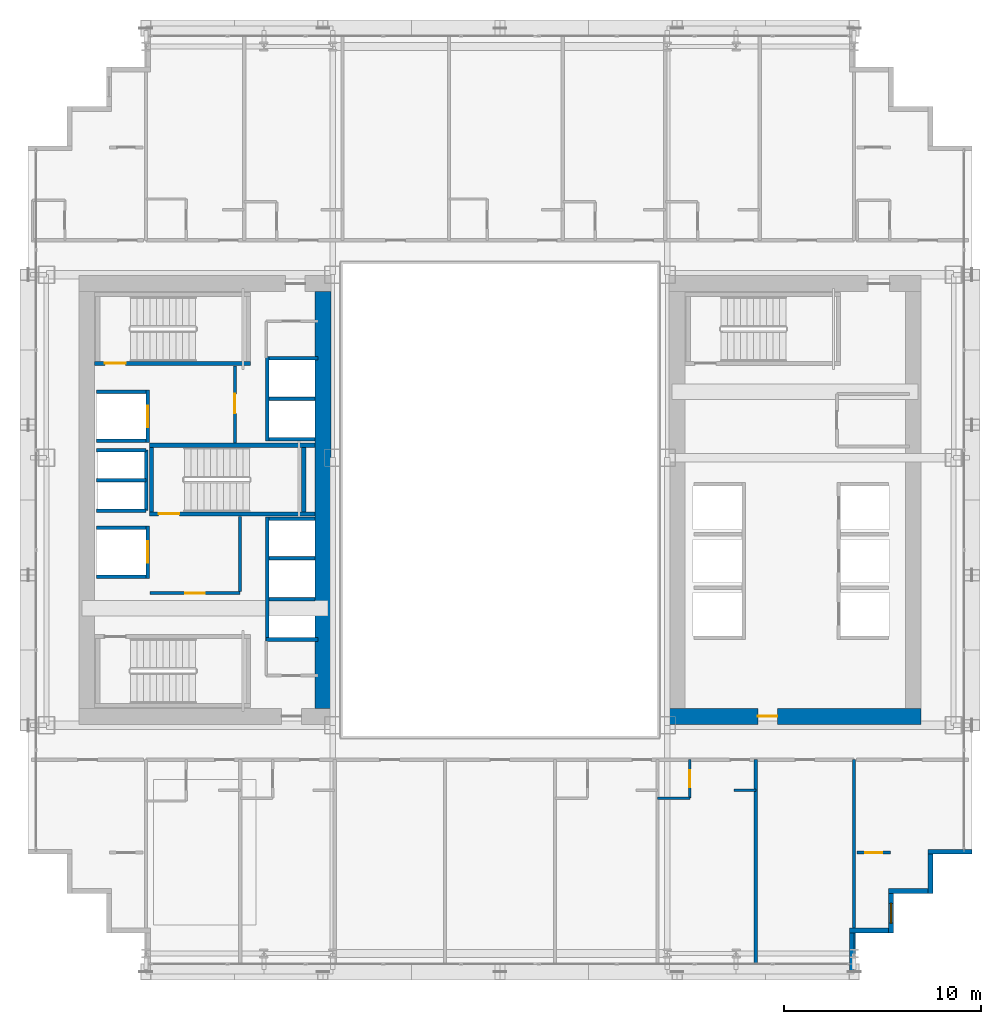
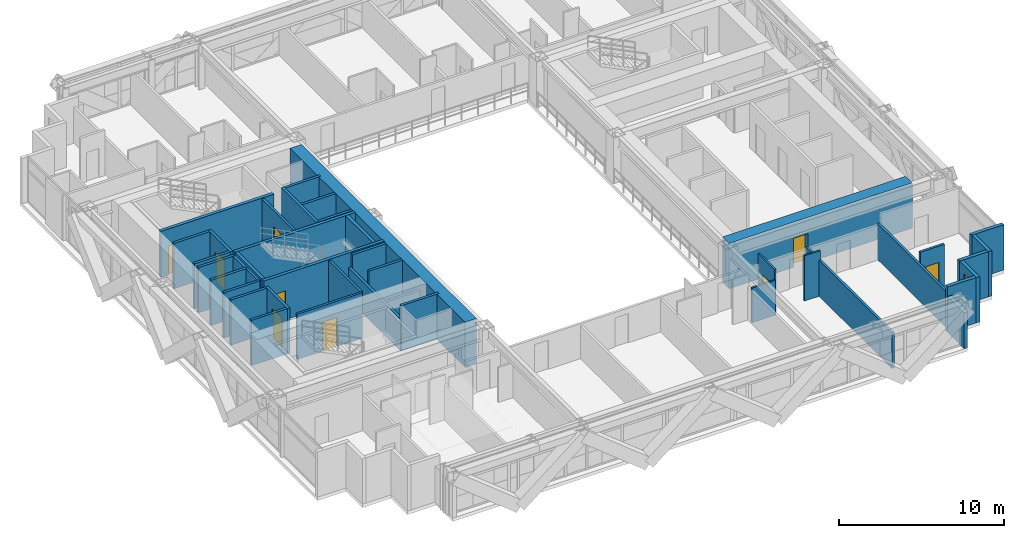
# One storey, part 31 of 38: 41 walls, 9 doors, 1 window, 10 openings.
"""IFC4 building model written with IfcOpenShell, lengths in metres."""

from ifc_helpers import new_model, si_unit, direction, frame, frame_2d, origin, place, context, subcontext, project, spatial, rectangle, extrude, source, transform, mapped, material, layer, layer_set, type_object, element, fill, save


model = new_model("IFC4")

# Units and contexts
model_context = context("Model", 3, precision=1e-05, world=origin(), true_north=direction((0.0, 1.0)))
body_context = subcontext(model_context, "Body", "Model", "MODEL_VIEW")
ifc_project = project(units=[si_unit("LENGTHUNIT", "METRE"), si_unit("AREAUNIT", "SQUARE_METRE"), si_unit("VOLUMEUNIT", "CUBIC_METRE"), si_unit("PLANEANGLEUNIT", "RADIAN"), si_unit("MASSUNIT", "GRAM", prefix="KILO")], contexts=[model_context])

# Site, building, storey
site_placement = place(None, origin())
site = spatial("IfcSite", under=ifc_project, at=site_placement, CompositionType="ELEMENT")
building_placement = place(site_placement, origin())
building = spatial("IfcBuilding", under=site, at=building_placement, Name="Ocotamira Hotel", CompositionType="ELEMENT")
storey_placement = place(building_placement, frame((0.0, 0.0, 74.39990234375)))
storey = spatial("IfcBuildingStorey", under=building, at=storey_placement, Name="L18", CompositionType="ELEMENT", Elevation=74.39990234375)

# Wall
ifc_material_1 = material(Name="Concrete C60/75", Category="concrete")
ifc_layer_1 = layer(ifc_material_1, 0.800048828125)
ifc_layer_set_1 = layer_set([ifc_layer_1], Name="Concrete C60/75")
wall_type_1 = type_object("IfcWallType", Name="WL-CORE-800", PredefinedType="SHEAR", material=ifc_layer_set_1)
wall_1_placement = place(storey_placement, frame((23.0, 15.39990234375, 0.0), z_axis=(0.0, 0.0, 1.0), x_axis=(0.0, 1.0, 0.0)))
element("IfcWall", 1, at=wall_1_placement, inside=storey, type_object=wall_type_1, Name="L18 Shear Core Wall WCORE-E", PredefinedType="SHEAR", context=body_context, shape_type="SweptSolid", body=[
    extrude(rectangle(XDim=21.2001953125, YDim=0.800048828125, at=frame_2d((10.60009765625, 0.0))), origin(), (0.0, 0.0, 1.0), 3.35009765625),
])

# Wall, opening, door
wall_2_placement = place(storey_placement, frame((40.60009765625, 15.0, 0.0), z_axis=(0.0, 0.0, 1.0), x_axis=(1.0, 0.0, 0.0)))
wall_2 = element("IfcWall", 2, at=wall_2_placement, inside=storey, type_object=wall_type_1, Name="L18 Shear Core Wall ECORE-S", PredefinedType="SHEAR", context=body_context, shape_type="SweptSolid", body=[
    extrude(rectangle(XDim=12.7998046875, YDim=0.800048828125, at=frame_2d((6.39990234375, 0.0))), origin(), (0.0, 0.0, 1.0), 3.35009765625),
])
opening_1_placement = place(wall_2_placement, frame((4.5, 0.0, 0.0)))
opening_1 = element("IfcOpeningElement", 3, at=opening_1_placement, cuts=wall_2, Name="Opening D-FR2", PredefinedType="OPENING", context=body_context, shape_type="SweptSolid", body=[
    extrude(rectangle(XDim=1.0, YDim=2.14990234375, at=frame_2d((0.5, 1.074951171875))), frame((0.0, 0.41015625, 0.0), z_axis=(0.0, -1.0, 0.0), x_axis=(1.0, 0.0, 0.0)), (0.0, 0.0, 1.0), 0.820068359375),
])
ifc_material_2 = material(Name="Fire-rated acoustic timber-veneer door", Category="wood")
door_type_1 = type_object("IfcDoorType", Name="DR-FIRE-1000", OperationType="NOTDEFINED", PredefinedType="DOOR", material=ifc_material_2)
shared_shape_1 = source(origin(), body_context, "Body", "SweptSolid", [
    extrude(rectangle(XDim=1.0, YDim=2.14990234375, at=frame_2d((0.5, 1.074951171875))), frame((0.0, 0.02490234375, 0.0), z_axis=(0.0, -1.0, 0.0), x_axis=(1.0, 0.0, 0.0)), (0.0, 0.0, 1.0), 0.050048828125),
])
door_1_placement = place(opening_1_placement, origin())
door_1 = element("IfcDoor", 4, at=door_1_placement, inside=storey, type_object=door_type_1, Name="L18 Door ID-L18-ELOB-S-D [ID-L18-ELOB-S-D]", OperationType="SINGLE_SWING_RIGHT", OverallHeight=2.14990234375, OverallWidth=1.0, PredefinedType="DOOR", context=body_context, shape_type="MappedRepresentation", body=[
    mapped(shared_shape_1, transform((0.0, 0.0, 0.0), scale=1.0)),
])
fill(opening_1, door_1)

# Walls
ifc_material_3 = material(Name="Precast concrete C45/55", Category="concrete")
ifc_layer_2 = layer(ifc_material_3, 0.25)
ifc_layer_set_2 = layer_set([ifc_layer_2], Name="Precast concrete C45/55")
wall_type_2 = type_object("IfcWallType", Name="WL-EXT-SER-250", PredefinedType="SOLIDWALL", material=ifc_layer_set_2)
wall_3_placement = place(storey_placement, frame((49.875, 2.0, 0.0), z_axis=(0.0, 0.0, 1.0), x_axis=(0.0, 1.0, 0.0)))
element("IfcWall", 5, at=wall_3_placement, inside=storey, type_object=wall_type_2, Name="L18 Serrated Corner Wall 01", PredefinedType="SOLIDWALL", context=body_context, shape_type="SweptSolid", body=[
    extrude(rectangle(XDim=2.0, YDim=0.25, at=frame_2d((1.0, 0.0))), origin(), (0.0, 0.0, 1.0), 2.656982421875),
])
wall_4_placement = place(storey_placement, frame((49.75, 4.125, 0.0), z_axis=(0.0, 0.0, 1.0), x_axis=(1.0, 0.0, 0.0)))
element("IfcWall", 6, at=wall_4_placement, inside=storey, type_object=wall_type_2, Name="L18 Serrated Corner Wall 02", PredefinedType="SOLIDWALL", context=body_context, shape_type="SweptSolid", body=[
    extrude(rectangle(XDim=2.0, YDim=0.25, at=frame_2d((1.0, 0.0))), origin(), (0.0, 0.0, 1.0), 3.35009765625),
])

# Wall, opening, window
wall_5_placement = place(storey_placement, frame((51.875, 4.0, 0.0), z_axis=(0.0, 0.0, 1.0), x_axis=(0.0, 1.0, 0.0)))
wall_5 = element("IfcWall", 7, at=wall_5_placement, inside=storey, type_object=wall_type_2, Name="L18 Serrated Corner Wall 03", PredefinedType="SOLIDWALL", context=body_context, shape_type="SweptSolid", body=[
    extrude(rectangle(XDim=2.0, YDim=0.25, at=frame_2d((1.0, 0.0))), origin(), (0.0, 0.0, 1.0), 3.35009765625),
])
opening_2_placement = place(wall_5_placement, frame((0.5, 0.0, 0.85009765625)))
opening_2 = element("IfcOpeningElement", 8, at=opening_2_placement, cuts=wall_5, Name="Opening WN-2", PredefinedType="OPENING", context=body_context, shape_type="SweptSolid", body=[
    extrude(rectangle(XDim=1.0, YDim=1.89990234375, at=frame_2d((0.5, 0.949951171875))), frame((0.0, 0.135009765625, 0.0), z_axis=(0.0, -1.0, 0.0), x_axis=(1.0, 0.0, 0.0)), (0.0, 0.0, 1.0), 0.27001953125),
])
ifc_material_4 = material(Name="Double-silver low-E solar glass", Category="glass")
window_type = type_object("IfcWindowType", Name="WIN-SER-1100", PartitioningType="SINGLE_PANEL", PredefinedType="WINDOW", material=ifc_material_4)
shared_shape_2 = source(origin(), body_context, "Body", "SweptSolid", [
    extrude(rectangle(XDim=1.0, YDim=1.89990234375, at=frame_2d((0.5, 0.949951171875))), frame((0.0, 0.030029296875, 0.0), z_axis=(0.0, -1.0, 0.0), x_axis=(1.0, 0.0, 0.0)), (0.0, 0.0, 1.0), 0.06005859375),
])
window_placement = place(opening_2_placement, origin())
window = element("IfcWindow", 9, at=window_placement, inside=storey, type_object=window_type, Name="L18 Serrated Corner Window 03", OverallHeight=1.89990234375, OverallWidth=1.0, PartitioningType="SINGLE_PANEL", PredefinedType="WINDOW", context=body_context, shape_type="MappedRepresentation", body=[
    mapped(shared_shape_2, transform((0.0, 0.0, 0.0), scale=1.0)),
])
fill(opening_2, window)

# Walls
for number, where, z_axis, x_axis, name in (
    (10, (51.75, 6.125, 0.0), (0.0, 0.0, 1.0), (1.0, 0.0, 0.0), "L18 Serrated Corner Wall 04"),
    (11, (53.875, 6.0, 0.0), (0.0, 0.0, 1.0), (0.0, 1.0, 0.0), "L18 Serrated Corner Wall 05"),
):
    element("IfcWall", number, at=place(storey_placement, frame(where, z_axis=z_axis, x_axis=x_axis)), inside=storey, type_object=wall_type_2, Name=name, PredefinedType="SOLIDWALL", context=body_context, shape_type="SweptSolid", body=[
        extrude(rectangle(XDim=2.0, YDim=0.25, at=frame_2d((1.0, 0.0))), origin(), (0.0, 0.0, 1.0), 3.35009765625),
    ])
wall_6_placement = place(storey_placement, frame((53.75, 8.125, 0.0), z_axis=(0.0, 0.0, 1.0), x_axis=(1.0, 0.0, 0.0)))
element("IfcWall", 12, at=wall_6_placement, inside=storey, type_object=wall_type_2, Name="L18 Serrated Corner Wall 06", PredefinedType="SOLIDWALL", context=body_context, shape_type="SweptSolid", body=[
    extrude(rectangle(XDim=2.25, YDim=0.25, at=frame_2d((1.125, 0.0))), origin(), (0.0, 0.0, 1.0), 3.35009765625),
])

# Wall, opening, door
ifc_material_5 = material(Name="Acoustic double-layer fire gypsum board partition", Category="gypsum")
ifc_layer_3 = layer(ifc_material_5, 0.159912109375)
ifc_layer_set_3 = layer_set([ifc_layer_3], Name="Acoustic double-layer fire gypsum board partition")
wall_type_3 = type_object("IfcWallType", Name="WL-FIRE-160", PredefinedType="PARTITIONING", material=ifc_layer_set_3)
wall_7_placement = place(storey_placement, frame((14.199951171875, 21.27001953125, 0.0), z_axis=(0.0, 0.0, 1.0), x_axis=(1.0, 0.0, 0.0)))
wall_7 = element("IfcWall", 13, at=wall_7_placement, inside=storey, type_object=wall_type_3, Name="L18 Interior Wall PW-L18-FSAE1-S", PredefinedType="PARTITIONING", context=body_context, shape_type="SweptSolid", body=[
    extrude(rectangle(XDim=4.580078125, YDim=0.159912109375, at=frame_2d((2.2900390625, 0.0))), origin(), (0.0, 0.0, 1.0), 3.35009765625),
])
opening_3_placement = place(wall_7_placement, frame((1.800048828125, 0.0, 0.0)))
opening_3 = element("IfcOpeningElement", 14, at=opening_3_placement, cuts=wall_7, Name="Opening D-FR2", PredefinedType="OPENING", context=body_context, shape_type="SweptSolid", body=[
    extrude(rectangle(XDim=1.0, YDim=2.14990234375, at=frame_2d((0.5, 1.074951171875))), frame((0.0, 0.08984375, 0.0), z_axis=(0.0, -1.0, 0.0), x_axis=(1.0, 0.0, 0.0)), (0.0, 0.0, 1.0), 0.179931640625),
])
door_2_placement = place(opening_3_placement, origin())
door_2 = element("IfcDoor", 15, at=door_2_placement, inside=storey, type_object=door_type_1, Name="L18 Door ID-L18-FSAE1-D [ID-L18-FSAE1-D]", OperationType="SINGLE_SWING_LEFT", OverallHeight=2.14990234375, OverallWidth=1.0, PredefinedType="DOOR", context=body_context, shape_type="MappedRepresentation", body=[
    mapped(shared_shape_1, transform((0.0, 0.0, 0.0), scale=1.0)),
])
fill(opening_3, door_2)

# Wall
wall_8_placement = place(storey_placement, frame((18.780029296875, 21.35009765625, 0.0), z_axis=(0.0, 0.0, 1.0), x_axis=(0.0, 1.0, 0.0)))
element("IfcWall", 16, at=wall_8_placement, inside=storey, type_object=wall_type_3, Name="L18 Interior Wall PW-L18-FSAE1-E", PredefinedType="PARTITIONING", context=body_context, shape_type="SweptSolid", body=[
    extrude(rectangle(XDim=3.809814453125, YDim=0.159912109375, at=frame_2d((1.90478515625, 0.0))), origin(), (0.0, 0.0, 1.0), 3.35009765625),
])

# Wall, opening, door
wall_9_placement = place(storey_placement, frame((18.530029296875, 28.89990234375, 0.0), z_axis=(0.0, 0.0, 1.0), x_axis=(0.0, 1.0, 0.0)))
wall_9 = element("IfcWall", 17, at=wall_9_placement, inside=storey, type_object=wall_type_3, Name="L18 Interior Wall PW-L18-FSAE2-E", PredefinedType="PARTITIONING", context=body_context, shape_type="SweptSolid", body=[
    extrude(rectangle(XDim=3.900146484375, YDim=0.159912109375, at=frame_2d((1.9501953125, 0.0))), origin(), (0.0, 0.0, 1.0), 3.35009765625),
])
opening_4_placement = place(wall_9_placement, frame((1.5, 0.0, 0.0)))
opening_4 = element("IfcOpeningElement", 18, at=opening_4_placement, cuts=wall_9, Name="Opening D-FR2", PredefinedType="OPENING", context=body_context, shape_type="SweptSolid", body=[
    extrude(rectangle(XDim=1.0, YDim=2.14990234375, at=frame_2d((0.5, 1.074951171875))), frame((0.0, 0.08984375, 0.0), z_axis=(0.0, -1.0, 0.0), x_axis=(1.0, 0.0, 0.0)), (0.0, 0.0, 1.0), 0.179931640625),
])
door_3_placement = place(opening_4_placement, origin())
door_3 = element("IfcDoor", 19, at=door_3_placement, inside=storey, type_object=door_type_1, Name="L18 Door ID-L18-FSAE2-D [ID-L18-FSAE2-D]", OperationType="SINGLE_SWING_RIGHT", OverallHeight=2.14990234375, OverallWidth=1.0, PredefinedType="DOOR", context=body_context, shape_type="MappedRepresentation", body=[
    mapped(shared_shape_1, transform((0.0, 0.0, 0.0), scale=1.0)),
])
fill(opening_4, door_3)

wall_10_placement = place(storey_placement, frame((50.14990234375, 8.080078125, 0.0), z_axis=(0.0, 0.0, 1.0), x_axis=(1.0, 0.0, 0.0)))
wall_10 = element("IfcWall", 20, at=wall_10_placement, inside=storey, type_object=wall_type_3, Name="L18 Interior Wall PW-L18-Z1D-CSE2-CW", PredefinedType="PARTITIONING", context=body_context, shape_type="SweptSolid", body=[
    extrude(rectangle(XDim=1.7001953125, YDim=0.159912109375, at=frame_2d((0.85009765625, 0.0))), origin(), (0.0, 0.0, 1.0), 3.35009765625),
])
opening_5_placement = place(wall_10_placement, frame((0.409912109375, 0.0, 0.0)))
opening_5 = element("IfcOpeningElement", 21, at=opening_5_placement, cuts=wall_10, Name="Opening D-SV2", PredefinedType="OPENING", context=body_context, shape_type="SweptSolid", body=[
    extrude(rectangle(XDim=0.8798828125, YDim=2.14990234375, at=frame_2d((0.43994140625, 1.074951171875))), frame((0.0, 0.08984375, 0.0), z_axis=(0.0, -1.0, 0.0), x_axis=(1.0, 0.0, 0.0)), (0.0, 0.0, 1.0), 0.179931640625),
])
ifc_material_6 = material(Name="Fire-rated painted steel service door", Category="steel")
door_type_2 = type_object("IfcDoorType", Name="DR-SERV-880", OperationType="NOTDEFINED", PredefinedType="DOOR", material=ifc_material_6)
shared_shape_3 = source(origin(), body_context, "Body", "SweptSolid", [
    extrude(rectangle(XDim=0.8798828125, YDim=2.14990234375, at=frame_2d((0.43994140625, 1.074951171875))), frame((0.0, 0.02490234375, 0.0), z_axis=(0.0, -1.0, 0.0), x_axis=(1.0, 0.0, 0.0)), (0.0, 0.0, 1.0), 0.050048828125),
])
door_4_placement = place(opening_5_placement, origin())
door_4 = element("IfcDoor", 22, at=door_4_placement, inside=storey, type_object=door_type_2, Name="L18 Door ID-L18-Z1D-CSE2-CD [ID-L18-Z1D-CSE2-CD]", OperationType="SINGLE_SWING_LEFT", OverallHeight=2.14990234375, OverallWidth=0.8798828125, PredefinedType="DOOR", context=body_context, shape_type="MappedRepresentation", body=[
    mapped(shared_shape_3, transform((0.0, 0.0, 0.0), scale=1.0)),
])
fill(opening_5, door_4)

ifc_material_7 = material(Name="Moisture-resistant en-suite tile and gypsum partition", Category="gypsum")
ifc_layer_4 = layer(ifc_material_7, 0.1201171875)
ifc_layer_set_4 = layer_set([ifc_layer_4], Name="Moisture-resistant en-suite tile and gypsum partition")
wall_type_4 = type_object("IfcWallType", Name="WL-PART-120", PredefinedType="PARTITIONING", material=ifc_layer_set_4)
wall_11_placement = place(storey_placement, frame((41.64990234375, 10.85009765625, 0.0), z_axis=(0.0, 0.0, 1.0), x_axis=(0.0, 1.0, 0.0)))
wall_11 = element("IfcWall", 23, at=wall_11_placement, inside=storey, type_object=wall_type_4, Name="L18 Interior Wall PW-L18-Z1DS-BAE6", PredefinedType="PARTITIONING", context=body_context, shape_type="SweptSolid", body=[
    extrude(rectangle(XDim=1.949951171875, YDim=0.1201171875, at=frame_2d((0.97509765625, 0.0))), origin(), (0.0, 0.0, 1.0), 3.35009765625),
])
opening_6_placement = place(wall_11_placement, frame((0.544921875, 0.0, 0.0)))
opening_6 = element("IfcOpeningElement", 24, at=opening_6_placement, cuts=wall_11, Name="Opening D-BA1", PredefinedType="OPENING", context=body_context, shape_type="SweptSolid", body=[
    extrude(rectangle(XDim=0.860107421875, YDim=2.10009765625, at=frame_2d((0.43017578125, 1.050048828125))), frame((0.0, 0.070068359375, 0.0), z_axis=(0.0, -1.0, 0.0), x_axis=(1.0, 0.0, 0.0)), (0.0, 0.0, 1.0), 0.14013671875),
])
ifc_material_8 = material(Name="Moisture-sealed en-suite timber door", Category="wood")
door_type_3 = type_object("IfcDoorType", Name="DR-BATH-860", OperationType="NOTDEFINED", PredefinedType="DOOR", material=ifc_material_8)
shared_shape_4 = source(origin(), body_context, "Body", "SweptSolid", [
    extrude(rectangle(XDim=0.860107421875, YDim=2.10009765625, at=frame_2d((0.43017578125, 1.050048828125))), frame((0.0, 0.02490234375, 0.0), z_axis=(0.0, -1.0, 0.0), x_axis=(1.0, 0.0, 0.0)), (0.0, 0.0, 1.0), 0.050048828125),
])
door_5_placement = place(opening_6_placement, origin())
door_5 = element("IfcDoor", 25, at=door_5_placement, inside=storey, type_object=door_type_3, Name="L18 Door ID-L18-Z1DS-BAD6 [ID-L18-Z1DS-BAD6]", OperationType="SINGLE_SWING_LEFT", OverallHeight=2.10009765625, OverallWidth=0.860107421875, PredefinedType="DOOR", context=body_context, shape_type="MappedRepresentation", body=[
    mapped(shared_shape_4, transform((0.0, 0.0, 0.0), scale=1.0)),
])
fill(opening_6, door_5)

# Walls
wall_12_placement = place(storey_placement, frame((40.0, 10.85009765625, 0.0), z_axis=(0.0, 0.0, 1.0), x_axis=(1.0, 0.0, 0.0)))
element("IfcWall", 26, at=wall_12_placement, inside=storey, type_object=wall_type_4, Name="L18 Interior Wall PW-L18-Z1DS-BAS6", PredefinedType="PARTITIONING", context=body_context, shape_type="SweptSolid", body=[
    extrude(rectangle(XDim=1.64990234375, YDim=0.1201171875, at=frame_2d((0.824951171875, 0.0))), origin(), (0.0, 0.0, 1.0), 2.571044921875),
])
wall_13_placement = place(storey_placement, frame((43.89990234375, 11.25, 0.0), z_axis=(0.0, 0.0, 1.0), x_axis=(1.0, 0.0, 0.0)))
element("IfcWall", 27, at=wall_13_placement, inside=storey, type_object=wall_type_4, Name="L18 Interior Wall PW-L18-Z1DS-DRN6", PredefinedType="PARTITIONING", context=body_context, shape_type="SweptSolid", body=[
    extrude(rectangle(XDim=1.10009765625, YDim=0.1201171875, at=frame_2d((0.550048828125, 0.0))), origin(), (0.0, 0.0, 1.0), 3.35009765625),
])
ifc_material_9 = material(Name="Acoustic double-stud hospitality gypsum partition", Category="gypsum")
ifc_layer_5 = layer(ifc_material_9, 0.159912109375)
ifc_layer_set_5 = layer_set([ifc_layer_5], Name="Acoustic double-stud hospitality gypsum partition")
wall_type_5 = type_object("IfcWallType", Name="WL-PART-160", PredefinedType="PARTITIONING", material=ifc_layer_set_5)
for number, where, z_axis, x_axis, name in (
    (28, (50.0, 2.360107421875, 0.0), (0.0, 0.0, 1.0), (0.0, 1.0, 0.0), "L18 Interior Wall PW-L18-Z1DS-PWEND"),
    (29, (45.0, 2.360107421875, 0.0), (0.0, 0.0, 1.0), (0.0, 1.0, 0.0), "L18 Interior Wall PW-L18-Z1DS-PW6"),
):
    element("IfcWall", number, at=place(storey_placement, frame(where, z_axis=z_axis, x_axis=x_axis)), inside=storey, type_object=wall_type_5, Name=name, PredefinedType="PARTITIONING", context=body_context, shape_type="SweptSolid", body=[
        extrude(rectangle(XDim=10.43994140625, YDim=0.159912109375, at=frame_2d((5.219970703125, 0.0))), origin(), (0.0, 0.0, 1.0), 2.656982421875),
    ])
ifc_material_10 = material(Name="Fire-rated gypsum shaftliner board assembly", Category="gypsum")
ifc_layer_6 = layer(ifc_material_10, 0.179931640625)
ifc_layer_set_6 = layer_set([ifc_layer_6], Name="Fire-rated gypsum shaftliner board assembly")
wall_type_6 = type_object("IfcWallType", Name="WL-SHAFT-180", PredefinedType="SOLIDWALL", material=ifc_layer_set_6)
wall_14_placement = place(storey_placement, frame((20.159912109375, 18.820068359375, 0.0), z_axis=(0.0, 0.0, 1.0), x_axis=(0.0, 1.0, 0.0)))
element("IfcWall", 30, at=wall_14_placement, inside=storey, type_object=wall_type_6, Name="L18 Interior Wall PW-L18-LFW-BANK-high-F", PredefinedType="SOLIDWALL", context=body_context, shape_type="SweptSolid", body=[
    extrude(rectangle(XDim=6.31982421875, YDim=0.179931640625, at=frame_2d((3.159912109375, 0.0))), origin(), (0.0, 0.0, 1.0), 2.360107421875),
])
wall_15_placement = place(storey_placement, frame((20.1201171875, 18.909912109375, 0.0), z_axis=(0.0, 0.0, 1.0), x_axis=(1.0, 0.0, 0.0)))
element("IfcWall", 31, at=wall_15_placement, inside=storey, type_object=wall_type_6, Name="L18 Interior Wall PW-L18-LFW-BANK-high-S", PredefinedType="SOLIDWALL", context=body_context, shape_type="SweptSolid", body=[
    extrude(rectangle(XDim=2.6298828125, YDim=0.179931640625, at=frame_2d((1.31494140625, 0.0))), origin(), (0.0, 0.0, 1.0), 3.35009765625),
])
wall_16_placement = place(storey_placement, frame((20.25, 25.050048828125, 0.0), z_axis=(0.0, 0.0, 1.0), x_axis=(1.0, 0.0, 0.0)))
element("IfcWall", 32, at=wall_16_placement, inside=storey, type_object=wall_type_6, Name="L18 Interior Wall PW-L18-LFW-BANK-high-N", PredefinedType="SOLIDWALL", context=body_context, shape_type="SweptSolid", body=[
    extrude(rectangle(XDim=2.360107421875, YDim=0.179931640625, at=frame_2d((1.18017578125, 0.0))), origin(), (0.0, 0.0, 1.0), 3.35009765625),
])
wall_17_placement = place(storey_placement, frame((20.25, 20.965087890625, 0.0), z_axis=(0.0, 0.0, 1.0), x_axis=(1.0, 0.0, 0.0)))
element("IfcWall", 33, at=wall_17_placement, inside=storey, type_object=wall_type_6, Name="L18 Interior Wall PW-L18-LFW-DIV-LF-P7", PredefinedType="SOLIDWALL", context=body_context, shape_type="SweptSolid", body=[
    extrude(rectangle(XDim=2.360107421875, YDim=0.179931640625, at=frame_2d((1.18017578125, 0.0))), origin(), (0.0, 0.0, 1.0), 2.360107421875),
])
wall_18_placement = place(storey_placement, frame((20.25, 23.044921875, 0.0), z_axis=(0.0, 0.0, 1.0), x_axis=(1.0, 0.0, 0.0)))
element("IfcWall", 34, at=wall_18_placement, inside=storey, type_object=wall_type_6, Name="L18 Interior Wall PW-L18-LFW-DIV-LF-P8", PredefinedType="SOLIDWALL", context=body_context, shape_type="SweptSolid", body=[
    extrude(rectangle(XDim=2.360107421875, YDim=0.179931640625, at=frame_2d((1.18017578125, 0.0))), origin(), (0.0, 0.0, 1.0), 3.35009765625),
])
wall_19_placement = place(storey_placement, frame((20.159912109375, 29.0, 0.0), z_axis=(0.0, 0.0, 1.0), x_axis=(0.0, 1.0, 0.0)))
element("IfcWall", 35, at=wall_19_placement, inside=storey, type_object=wall_type_6, Name="L18 Interior Wall PW-L18-LFW-BANK-obs-F", PredefinedType="SOLIDWALL", context=body_context, shape_type="SweptSolid", body=[
    extrude(rectangle(XDim=4.2900390625, YDim=0.179931640625, at=frame_2d((2.14501953125, 0.0))), origin(), (0.0, 0.0, 1.0), 3.35009765625),
])
wall_20_placement = place(storey_placement, frame((20.25, 29.090087890625, 0.0), z_axis=(0.0, 0.0, 1.0), x_axis=(1.0, 0.0, 0.0)))
element("IfcWall", 36, at=wall_20_placement, inside=storey, type_object=wall_type_6, Name="L18 Interior Wall PW-L18-LFW-BANK-obs-S", PredefinedType="SOLIDWALL", context=body_context, shape_type="SweptSolid", body=[
    extrude(rectangle(XDim=2.360107421875, YDim=0.179931640625, at=frame_2d((1.18017578125, 0.0))), origin(), (0.0, 0.0, 1.0), 3.35009765625),
])
wall_21_placement = place(storey_placement, frame((20.25, 33.199951171875, 0.0), z_axis=(0.0, 0.0, 1.0), x_axis=(1.0, 0.0, 0.0)))
element("IfcWall", 37, at=wall_21_placement, inside=storey, type_object=wall_type_6, Name="L18 Interior Wall PW-L18-LFW-BANK-obs-N", PredefinedType="SOLIDWALL", context=body_context, shape_type="SweptSolid", body=[
    extrude(rectangle(XDim=2.5, YDim=0.179931640625, at=frame_2d((1.25, 0.0))), origin(), (0.0, 0.0, 1.0), 3.35009765625),
])
wall_22_placement = place(storey_placement, frame((20.25, 31.14501953125, 0.0), z_axis=(0.0, 0.0, 1.0), x_axis=(1.0, 0.0, 0.0)))
element("IfcWall", 38, at=wall_22_placement, inside=storey, type_object=wall_type_6, Name="L18 Interior Wall PW-L18-LFW-DIV-LF-OBS1", PredefinedType="SOLIDWALL", context=body_context, shape_type="SweptSolid", body=[
    extrude(rectangle(XDim=2.360107421875, YDim=0.179931640625, at=frame_2d((1.18017578125, 0.0))), origin(), (0.0, 0.0, 1.0), 3.35009765625),
])
for number, where, z_axis, x_axis, name in (
    (39, (11.5, 22.110107421875, 0.0), (0.0, 0.0, 1.0), (1.0, 0.0, 0.0), "L18 Interior Wall PW-L18-LFW-LF-FSAE1-S"),
    (40, (11.5, 24.590087890625, 0.0), (0.0, 0.0, 1.0), (1.0, 0.0, 0.0), "L18 Interior Wall PW-L18-LFW-LF-FSAE1-N"),
):
    element("IfcWall", number, at=place(storey_placement, frame(where, z_axis=z_axis, x_axis=x_axis)), inside=storey, type_object=wall_type_6, Name=name, PredefinedType="SOLIDWALL", context=body_context, shape_type="SweptSolid", body=[
        extrude(rectangle(XDim=2.5, YDim=0.179931640625, at=frame_2d((1.25, 0.0))), origin(), (0.0, 0.0, 1.0), 3.35009765625),
    ])

# Wall, opening, door
wall_23_placement = place(storey_placement, frame((14.090087890625, 22.02001953125, 0.0), z_axis=(0.0, 0.0, 1.0), x_axis=(0.0, 1.0, 0.0)))
wall_23 = element("IfcWall", 41, at=wall_23_placement, inside=storey, type_object=wall_type_6, Name="L18 Interior Wall PW-L18-LFW-LF-FSAE1-E", PredefinedType="SOLIDWALL", context=body_context, shape_type="SweptSolid", body=[
    extrude(rectangle(XDim=2.659912109375, YDim=0.179931640625, at=frame_2d((1.330078125, 0.0))), origin(), (0.0, 0.0, 1.0), 3.35009765625),
])
opening_7_placement = place(wall_23_placement, frame((0.780029296875, 0.0, 0.0)))
opening_7 = element("IfcOpeningElement", 42, at=opening_7_placement, cuts=wall_23, Name="Opening LD-LF-FSAE1", PredefinedType="OPENING", context=body_context, shape_type="SweptSolid", body=[
    extrude(rectangle(XDim=1.10009765625, YDim=2.199951171875, at=frame_2d((0.550048828125, 1.10009765625))), frame((0.0, 0.10009765625, 0.0), z_axis=(0.0, -1.0, 0.0), x_axis=(1.0, 0.0, 0.0)), (0.0, 0.0, 1.0), 0.199951171875),
])
ifc_material_11 = material(Name="Brushed pale-metal stainless elevator landing door", Category="steel")
door_type_4 = type_object("IfcDoorType", Name="DR-LIFT-1100", OperationType="NOTDEFINED", PredefinedType="DOOR", material=ifc_material_11)
shared_shape_5 = source(origin(), body_context, "Body", "SweptSolid", [
    extrude(rectangle(XDim=1.10009765625, YDim=2.199951171875, at=frame_2d((0.550048828125, 1.10009765625))), frame((0.0, 0.02490234375, 0.0), z_axis=(0.0, -1.0, 0.0), x_axis=(1.0, 0.0, 0.0)), (0.0, 0.0, 1.0), 0.050048828125),
])
door_6_placement = place(opening_7_placement, origin())
door_6 = element("IfcDoor", 43, at=door_6_placement, inside=storey, type_object=door_type_4, Name="L18 Landing Door LD-LF-FSAE1 [ID-L18-LD-LF-FSAE1]", OperationType="DOUBLE_DOOR_SLIDING", OverallHeight=2.199951171875, OverallWidth=1.10009765625, PredefinedType="DOOR", context=body_context, shape_type="MappedRepresentation", body=[
    mapped(shared_shape_5, transform((0.0, 0.0, 0.0), scale=1.0)),
])
fill(opening_7, door_6)

# Walls
for number, where, z_axis, x_axis, name in (
    (44, (11.5, 29.010009765625, 0.0), (0.0, 0.0, 1.0), (1.0, 0.0, 0.0), "L18 Interior Wall PW-L18-LFW-LF-FSAE2-S"),
    (45, (11.5, 31.489990234375, 0.0), (0.0, 0.0, 1.0), (1.0, 0.0, 0.0), "L18 Interior Wall PW-L18-LFW-LF-FSAE2-N"),
):
    element("IfcWall", number, at=place(storey_placement, frame(where, z_axis=z_axis, x_axis=x_axis)), inside=storey, type_object=wall_type_6, Name=name, PredefinedType="SOLIDWALL", context=body_context, shape_type="SweptSolid", body=[
        extrude(rectangle(XDim=2.5, YDim=0.179931640625, at=frame_2d((1.25, 0.0))), origin(), (0.0, 0.0, 1.0), 3.35009765625),
    ])

# Wall, opening, door
wall_24_placement = place(storey_placement, frame((14.090087890625, 28.919921875, 0.0), z_axis=(0.0, 0.0, 1.0), x_axis=(0.0, 1.0, 0.0)))
wall_24 = element("IfcWall", 46, at=wall_24_placement, inside=storey, type_object=wall_type_6, Name="L18 Interior Wall PW-L18-LFW-LF-FSAE2-E", PredefinedType="SOLIDWALL", context=body_context, shape_type="SweptSolid", body=[
    extrude(rectangle(XDim=2.66015625, YDim=0.179931640625, at=frame_2d((1.330078125, 0.0))), origin(), (0.0, 0.0, 1.0), 3.35009765625),
])
opening_8_placement = place(wall_24_placement, frame((0.780029296875, 0.0, 0.0)))
opening_8 = element("IfcOpeningElement", 47, at=opening_8_placement, cuts=wall_24, Name="Opening LD-LF-FSAE2", PredefinedType="OPENING", context=body_context, shape_type="SweptSolid", body=[
    extrude(rectangle(XDim=1.10009765625, YDim=2.199951171875, at=frame_2d((0.550048828125, 1.10009765625))), frame((0.0, 0.10009765625, 0.0), z_axis=(0.0, -1.0, 0.0), x_axis=(1.0, 0.0, 0.0)), (0.0, 0.0, 1.0), 0.199951171875),
])
door_7_placement = place(opening_8_placement, origin())
door_7 = element("IfcDoor", 48, at=door_7_placement, inside=storey, type_object=door_type_4, Name="L18 Landing Door LD-LF-FSAE2 [ID-L18-LD-LF-FSAE2]", OperationType="DOUBLE_DOOR_SLIDING", OverallHeight=2.199951171875, OverallWidth=1.10009765625, PredefinedType="DOOR", context=body_context, shape_type="MappedRepresentation", body=[
    mapped(shared_shape_5, transform((0.0, 0.0, 0.0), scale=1.0)),
])
fill(opening_8, door_7)

# Walls
for number, where, z_axis, x_axis, name in (
    (49, (11.5, 25.4599609375, 0.0), (0.0, 0.0, 1.0), (1.0, 0.0, 0.0), "L18 Interior Wall PW-L18-RSW-S"),
    (50, (11.5, 27.0, 0.0), (0.0, 0.0, 1.0), (1.0, 0.0, 0.0), "L18 Interior Wall PW-L18-RSW-MID"),
    (51, (11.5, 28.5400390625, 0.0), (0.0, 0.0, 1.0), (1.0, 0.0, 0.0), "L18 Interior Wall PW-L18-RSW-N"),
):
    element("IfcWall", number, at=place(storey_placement, frame(where, z_axis=z_axis, x_axis=x_axis)), inside=storey, type_object=wall_type_6, Name=name, PredefinedType="SOLIDWALL", context=body_context, shape_type="SweptSolid", body=[
        extrude(rectangle(XDim=2.510009765625, YDim=0.179931640625, at=frame_2d((1.2548828125, 0.0))), origin(), (0.0, 0.0, 1.0), 3.35009765625),
    ])
wall_25_placement = place(storey_placement, frame((14.010009765625, 25.4599609375, 0.0), z_axis=(0.0, 0.0, 1.0), x_axis=(0.0, 1.0, 0.0)))
element("IfcWall", 52, at=wall_25_placement, inside=storey, type_object=wall_type_6, Name="L18 Interior Wall PW-L18-RSW-E", PredefinedType="SOLIDWALL", context=body_context, shape_type="SweptSolid", body=[
    extrude(rectangle(XDim=3.080078125, YDim=0.179931640625, at=frame_2d((1.5400390625, 0.0))), origin(), (0.0, 0.0, 1.0), 3.35009765625),
])

# Wall, opening, door
ifc_material_12 = material(Name="Concrete C50/60", Category="concrete")
ifc_layer_7 = layer(ifc_material_12, 0.219970703125)
ifc_layer_set_7 = layer_set([ifc_layer_7], Name="Concrete C50/60")
wall_type_7 = type_object("IfcWallType", Name="WL-STAIR-220", PredefinedType="SHEAR", material=ifc_layer_set_7)
wall_26_placement = place(storey_placement, frame((11.39990234375, 32.93994140625, 0.0), z_axis=(0.0, 0.0, 1.0), x_axis=(1.0, 0.0, 0.0)))
wall_26 = element("IfcWall", 53, at=wall_26_placement, inside=storey, type_object=wall_type_7, Name="L18 Stair Shaft Structural Wall ST-2-S", PredefinedType="SHEAR", context=body_context, shape_type="SweptSolid", body=[
    extrude(rectangle(XDim=7.91015625, YDim=0.219970703125, at=frame_2d((3.955078125, 0.0))), origin(), (0.0, 0.0, 1.0), 3.400146484375),
])
opening_9_placement = place(wall_26_placement, frame((0.52001953125, 0.0, 0.0)))
opening_9 = element("IfcOpeningElement", 54, at=opening_9_placement, cuts=wall_26, Name="Opening D-ST2", PredefinedType="OPENING", context=body_context, shape_type="SweptSolid", body=[
    extrude(rectangle(XDim=1.050048828125, YDim=2.14990234375, at=frame_2d((0.52490234375, 1.074951171875))), frame((0.0, 0.1201171875, 0.0), z_axis=(0.0, -1.0, 0.0), x_axis=(1.0, 0.0, 0.0)), (0.0, 0.0, 1.0), 0.239990234375),
])
ifc_material_13 = material(Name="Insulated painted hollow-metal fire exit door", Category="steel")
door_type_5 = type_object("IfcDoorType", Name="DR-STAIR-1050", OperationType="NOTDEFINED", PredefinedType="DOOR", material=ifc_material_13)
shared_shape_6 = source(origin(), body_context, "Body", "SweptSolid", [
    extrude(rectangle(XDim=1.050048828125, YDim=2.14990234375, at=frame_2d((0.52490234375, 1.074951171875))), frame((0.0, 0.02490234375, 0.0), z_axis=(0.0, -1.0, 0.0), x_axis=(1.0, 0.0, 0.0)), (0.0, 0.0, 1.0), 0.050048828125),
])
door_8_placement = place(opening_9_placement, origin())
door_8 = element("IfcDoor", 55, at=door_8_placement, inside=storey, type_object=door_type_5, Name="L18 Door ID-L18-STD-ST-2 [ID-L18-STD-ST-2]", OperationType="SINGLE_SWING_RIGHT", OverallHeight=2.14990234375, OverallWidth=1.050048828125, PredefinedType="DOOR", context=body_context, shape_type="MappedRepresentation", body=[
    mapped(shared_shape_6, transform((0.0, 0.0, 0.0), scale=1.0)),
])
fill(opening_9, door_8)

wall_27_placement = place(storey_placement, frame((14.179931640625, 25.2900390625, 0.0), z_axis=(0.0, 0.0, 1.0), x_axis=(1.0, 0.0, 0.0)))
wall_27 = element("IfcWall", 56, at=wall_27_placement, inside=storey, type_object=wall_type_7, Name="L18 Stair Shaft Structural Wall ST-3-S", PredefinedType="SHEAR", context=body_context, shape_type="SweptSolid", body=[
    extrude(rectangle(XDim=8.420166015625, YDim=0.219970703125, at=frame_2d((4.2099609375, 0.0))), origin(), (0.0, 0.0, 1.0), 3.400146484375),
])
opening_10_placement = place(wall_27_placement, frame((0.469970703125, 0.0, 0.0)))
opening_10 = element("IfcOpeningElement", 57, at=opening_10_placement, cuts=wall_27, Name="Opening D-ST2", PredefinedType="OPENING", context=body_context, shape_type="SweptSolid", body=[
    extrude(rectangle(XDim=1.050048828125, YDim=2.14990234375, at=frame_2d((0.52490234375, 1.074951171875))), frame((0.0, 0.1201171875, 0.0), z_axis=(0.0, -1.0, 0.0), x_axis=(1.0, 0.0, 0.0)), (0.0, 0.0, 1.0), 0.239990234375),
])
door_9_placement = place(opening_10_placement, origin())
door_9 = element("IfcDoor", 58, at=door_9_placement, inside=storey, type_object=door_type_5, Name="L18 Door ID-L18-STD-ST-3 [ID-L18-STD-ST-3]", OperationType="SINGLE_SWING_LEFT", OverallHeight=2.14990234375, OverallWidth=1.050048828125, PredefinedType="DOOR", context=body_context, shape_type="MappedRepresentation", body=[
    mapped(shared_shape_6, transform((0.0, 0.0, 0.0), scale=1.0)),
])
fill(opening_10, door_9)

# Walls
wall_28_placement = place(storey_placement, frame((14.179931640625, 28.7900390625, 0.0), z_axis=(0.0, 0.0, 1.0), x_axis=(1.0, 0.0, 0.0)))
element("IfcWall", 59, at=wall_28_placement, inside=storey, type_object=wall_type_7, Name="L18 Stair Shaft Structural Wall ST-3-N", PredefinedType="SHEAR", context=body_context, shape_type="SweptSolid", body=[
    extrude(rectangle(XDim=8.420166015625, YDim=0.219970703125, at=frame_2d((4.2099609375, 0.0))), origin(), (0.0, 0.0, 1.0), 3.400146484375),
])
for number, where, z_axis, x_axis, name in (
    (60, (14.2900390625, 25.39990234375, 0.0), (0.0, 0.0, 1.0), (0.0, 1.0, 0.0), "L18 Stair Shaft Structural Wall ST-3-W"),
    (61, (22.030029296875, 25.39990234375, 0.0), (0.0, 0.0, 1.0), (0.0, 1.0, 0.0), "L18 Stair Shaft Structural Wall ST-3-E"),
):
    element("IfcWall", number, at=place(storey_placement, frame(where, z_axis=z_axis, x_axis=x_axis)), inside=storey, type_object=wall_type_7, Name=name, PredefinedType="SHEAR", context=body_context, shape_type="SweptSolid", body=[
        extrude(rectangle(XDim=3.280029296875, YDim=0.219970703125, at=frame_2d((1.64013671875, 0.0))), origin(), (0.0, 0.0, 1.0), 3.400146484375),
    ])

save(model, "model.ifc")
